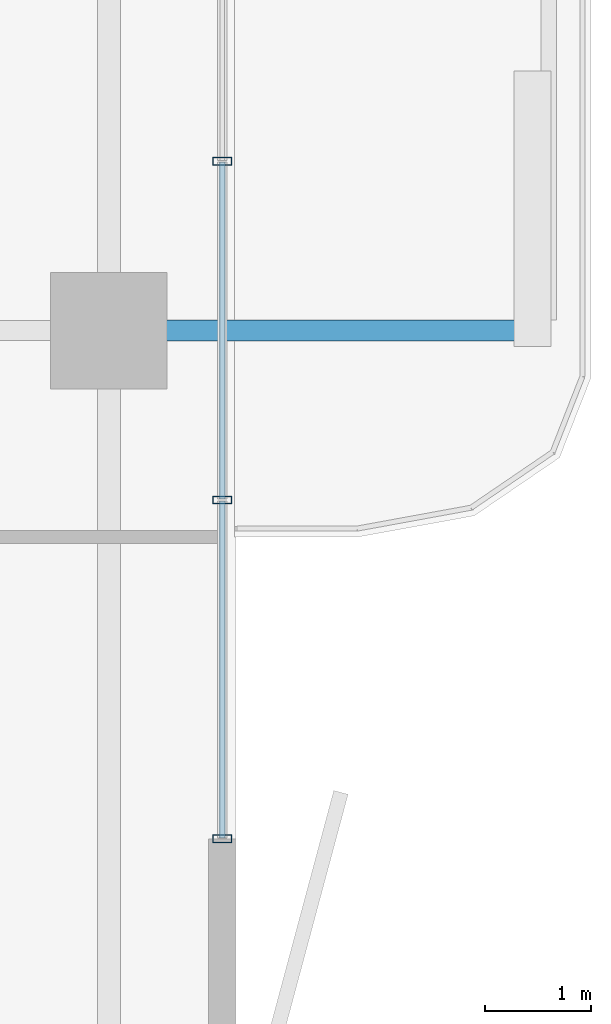
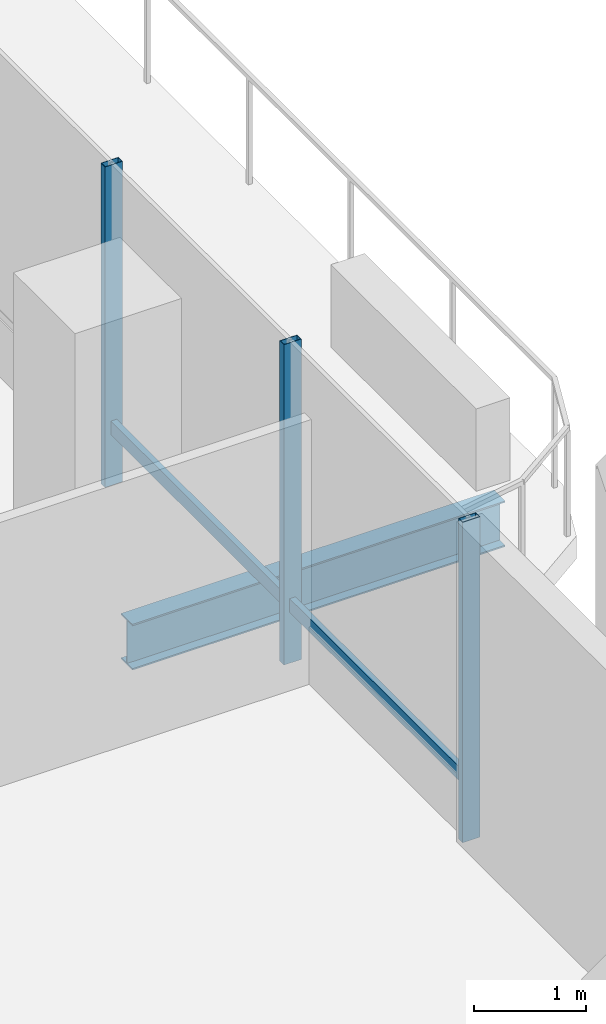
# One storey, part 8 of 24: 5 members, 1 beam, 1 element without a shape of its own.
"""IFC4 building model written with IfcOpenShell, lengths in metres."""

from ifc_helpers import new_model, si_unit, direction, frame, origin, origin_2d, place, context, subcontext, project, spatial, hollow_rectangle, i_section, extrude, material, layer, layer_set, material_profile, profile_set, type_object, element, aggregate, save


model = new_model("IFC4")

# Units and contexts
model_context = context("Model", 3, precision=1e-05, world=origin(), true_north=direction((0.0, 1.0)))
body_context = subcontext(model_context, "Body", "Model", "MODEL_VIEW")
ifc_project = project(units=[si_unit("LENGTHUNIT", "METRE"), si_unit("AREAUNIT", "SQUARE_METRE"), si_unit("VOLUMEUNIT", "CUBIC_METRE"), si_unit("PLANEANGLEUNIT", "RADIAN"), si_unit("MASSUNIT", "GRAM", prefix="KILO")], contexts=[model_context])

# Site, building, storey
site_placement = place(None, origin())
site = spatial("IfcSite", under=ifc_project, at=site_placement, CompositionType="ELEMENT")
building_placement = place(site_placement, origin())
building = spatial("IfcBuilding", under=site, at=building_placement, Name="Belovzor Exchange Tower", CompositionType="ELEMENT")
storey_placement = place(building_placement, frame((0.0, 0.0, 211.199951171875)))
storey = spatial("IfcBuildingStorey", under=building, at=storey_placement, Name="L52", CompositionType="ELEMENT", Elevation=211.199951171875)

# Beam
ifc_material_1 = material(Name="Steel S355", Category="steel")
ifc_material_profile_1 = material_profile(ifc_material_1, i_section(OverallWidth=0.199951171875, OverallDepth=0.5, WebThickness=0.01025390625, FlangeThickness=0.01611328125, at=origin_2d()))
ifc_profile_set_1 = profile_set([ifc_material_profile_1], Name="Steel S355")
beam_type = type_object("IfcBeamType", Name="Planted Balcony Cantilever Beam IPE 500", PredefinedType="BEAM", material=ifc_profile_set_1)
beam_placement = place(storey_placement, frame((54.903076171875, 28.800048828125, -0.5), z_axis=(1.0, 0.0, 0.0), x_axis=(0.0, 1.0, 0.0)))
element("IfcBeam", 1, at=beam_placement, inside=storey, type_object=beam_type, Name="BC-500 Planted Balcony Cantilever Beam IPE 500", PredefinedType="BEAM", context=body_context, shape_type="SweptSolid", body=[
    extrude(i_section(OverallWidth=0.199951171875, OverallDepth=0.5, WebThickness=0.01025390625, FlangeThickness=0.01611328125, at=origin_2d()), origin(), (0.0, 0.0, 1.0), 3.849853515625),
])

# Curtain wall, members
ifc_material_2 = material(Name="Anodised Aluminium Framing", Category="aluminium")
ifc_layer = layer(ifc_material_2, 0.179931640625)
ifc_layer_set = layer_set([ifc_layer], Name="Anodised Aluminium Framing")
curtain_wall_type = type_object("IfcCurtainWallType", Name="Recessed Loggia Low-Iron Triple-Glazed Curtain Wall", PredefinedType="NOTDEFINED", material=ifc_layer_set)
curtain_wall_placement = place(storey_placement, origin())
curtain_wall = element("IfcCurtainWall", 2, at=curtain_wall_placement, inside=storey, type_object=curtain_wall_type, Name="CW3 Recessed Loggia Low-Iron Triple-Glazed Curtain Wall L52", PredefinedType="NOTDEFINED")
ifc_material_3 = material(Name="Steel S355", Category="steel")
ifc_material_profile_2 = material_profile(ifc_material_3, hollow_rectangle(XDim=0.074951171875, YDim=0.179931640625, WallThickness=0.0048828125, at=origin_2d()))
ifc_profile_set_2 = profile_set([ifc_material_profile_2], Name="Steel S355")
member_type_1 = type_object("IfcMemberType", Name="Thermally Broken Curtain Wall Mullion 180x75", PredefinedType="MULLION", material=ifc_profile_set_2)
member_1_placement = place(storey_placement, frame((55.669921875, 30.39990234375, 0.0), z_axis=(0.0, 0.0, 1.0), x_axis=(0.0, -1.0, 0.0)))
member_1 = element("IfcMember", 3, at=member_1_placement, type_object=member_type_1, Name="CW-M180 Curtain Wall Mullion 2", PredefinedType="MULLION", context=body_context, shape_type="SweptSolid", body=[
    extrude(hollow_rectangle(XDim=0.074951171875, YDim=0.179931640625, WallThickness=0.0048828125, at=origin_2d()), origin(), (0.0, 0.0, 1.0), 3.5),
])
member_2_placement = place(storey_placement, frame((55.669921875, 27.199951171875, 0.0), z_axis=(0.0, 0.0, 1.0), x_axis=(0.0, -1.0, 0.0)))
member_2 = element("IfcMember", 4, at=member_2_placement, type_object=member_type_1, Name="CW-M180 Curtain Wall Mullion 3", PredefinedType="MULLION", context=body_context, shape_type="SweptSolid", body=[
    extrude(hollow_rectangle(XDim=0.074951171875, YDim=0.179931640625, WallThickness=0.0048828125, at=origin_2d()), origin(), (0.0, 0.0, 1.0), 3.5),
])
member_3_placement = place(storey_placement, frame((55.669921875, 24.0, 0.0), z_axis=(0.0, 0.0, 1.0), x_axis=(0.0, -1.0, 0.0)))
member_3 = element("IfcMember", 5, at=member_3_placement, type_object=member_type_1, Name="CW-M180 Curtain Wall Mullion 4", PredefinedType="MULLION", context=body_context, shape_type="SweptSolid", body=[
    extrude(hollow_rectangle(XDim=0.074951171875, YDim=0.179931640625, WallThickness=0.0048828125, at=origin_2d()), origin(), (0.0, 0.0, 1.0), 3.5),
])
ifc_material_4 = material(Name="Steel S355", Category="steel")
ifc_material_profile_3 = material_profile(ifc_material_4, hollow_rectangle(XDim=0.06005859375, YDim=0.14990234375, WallThickness=0.00390625, at=origin_2d()))
ifc_profile_set_3 = profile_set([ifc_material_profile_3], Name="Steel S355")
member_type_2 = type_object("IfcMemberType", Name="Thermally Broken Curtain Wall Transom 150x60", PredefinedType="USERDEFINED", material=ifc_profile_set_3)
member_4_placement = place(storey_placement, frame((55.669921875, 30.39208984375, 0.630126953125), z_axis=(0.0, -1.0, 0.0), x_axis=(1.0, 0.0, 0.0)))
member_4 = element("IfcMember", 6, at=member_4_placement, type_object=member_type_2, Name="CW-T150 Curtain Wall Transom 2", ObjectType="TRANSOM", PredefinedType="USERDEFINED", context=body_context, shape_type="SweptSolid", body=[
    extrude(hollow_rectangle(XDim=0.06005859375, YDim=0.14990234375, WallThickness=0.00390625, at=origin_2d()), origin(), (0.0, 0.0, 1.0), 3.18408203125),
])
member_5_placement = place(storey_placement, frame((55.669921875, 27.19189453125, 0.630126953125), z_axis=(0.0, -1.0, 0.0), x_axis=(1.0, 0.0, 0.0)))
member_5 = element("IfcMember", 7, at=member_5_placement, type_object=member_type_2, Name="CW-T150 Curtain Wall Transom 3", ObjectType="TRANSOM", PredefinedType="USERDEFINED", context=body_context, shape_type="SweptSolid", body=[
    extrude(hollow_rectangle(XDim=0.06005859375, YDim=0.14990234375, WallThickness=0.00390625, at=origin_2d()), origin(), (0.0, 0.0, 1.0), 3.183837890625),
])
aggregate(curtain_wall, [member_1, member_2, member_3, member_4, member_5])

save(model, "model.ifc")
